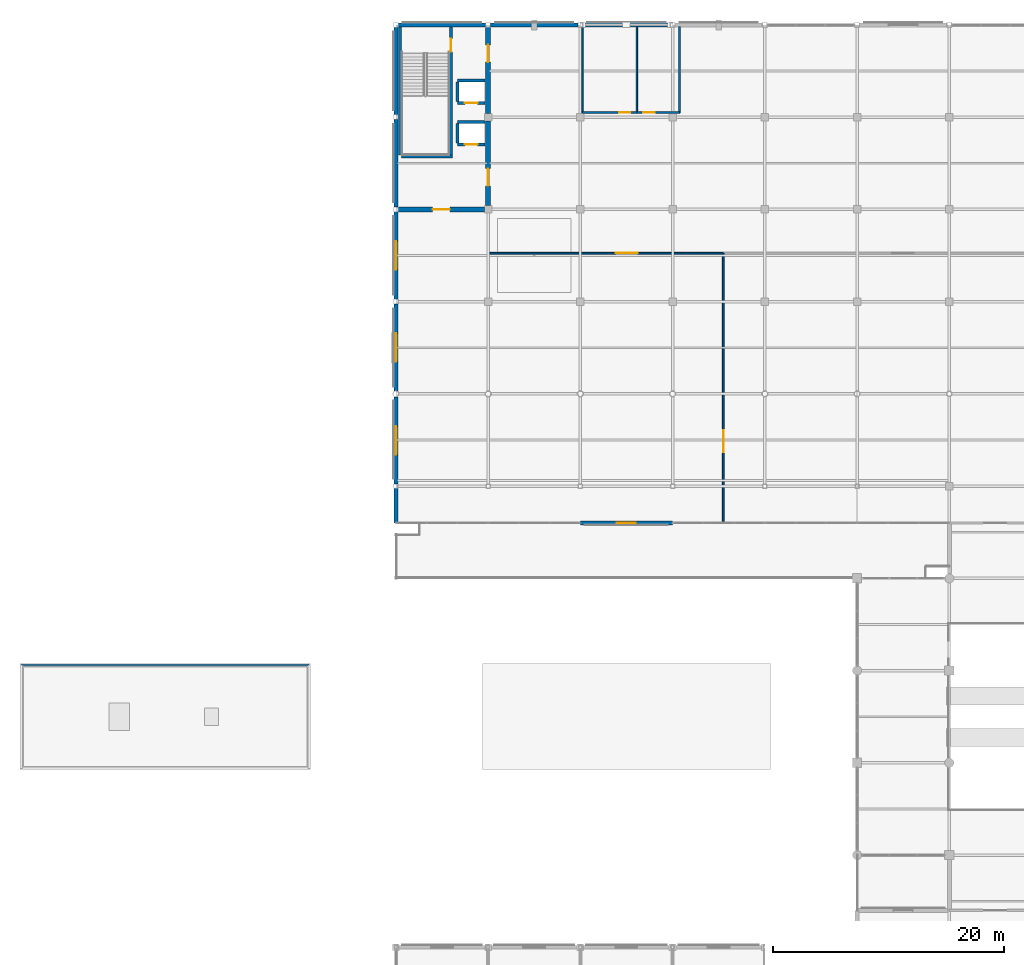
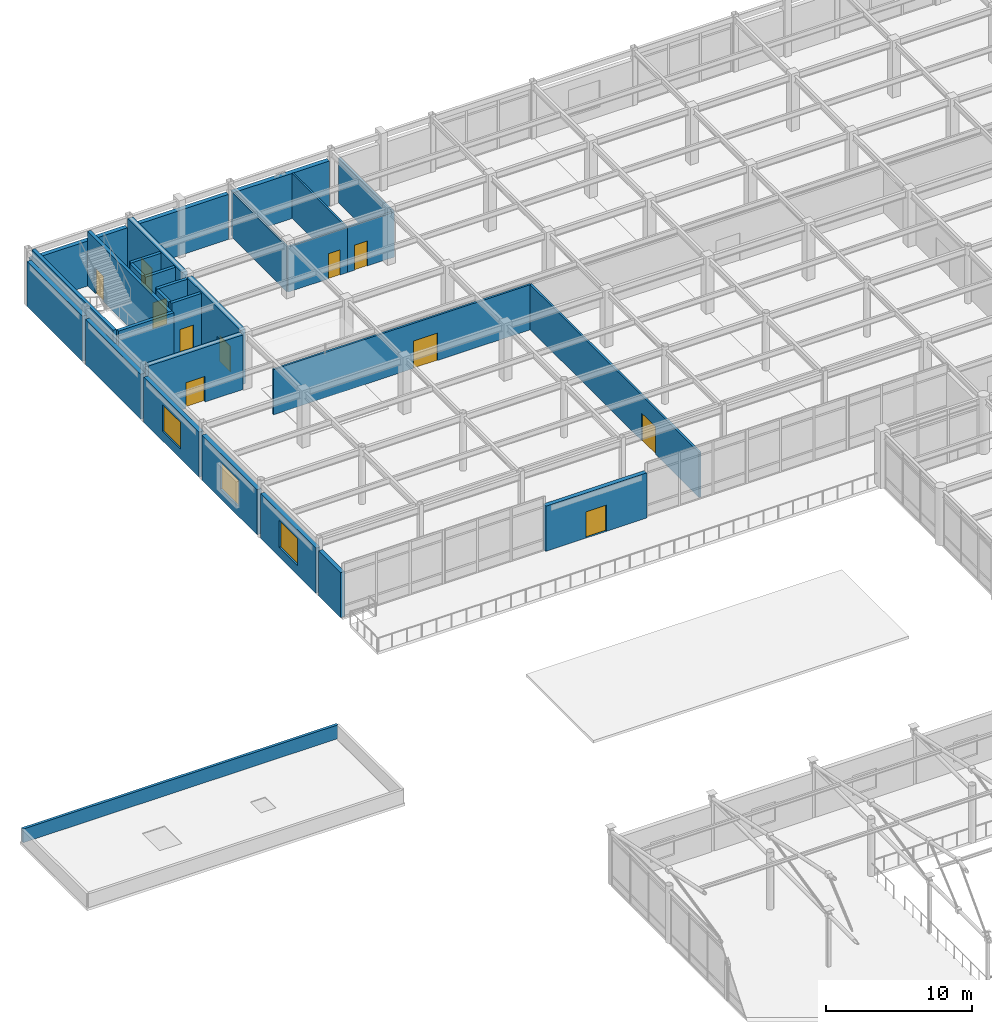
# One storey, part 93 of 117: 30 walls, 11 doors, 3 windows, 14 openings.
"""IFC4 building model written with IfcOpenShell, lengths in metres."""

from ifc_helpers import new_model, si_unit, direction, frame, frame_2d, origin, place, context, subcontext, project, spatial, rectangle, extrude, material, layer, layer_set, type_object, element, fill, save


model = new_model("IFC4")

# Units and contexts
model_context = context("Model", 3, precision=1e-05, world=origin(), true_north=direction((0.0, 1.0)))
body_context = subcontext(model_context, "Body", "Model", "MODEL_VIEW")
ifc_project = project(units=[si_unit("LENGTHUNIT", "METRE"), si_unit("AREAUNIT", "SQUARE_METRE"), si_unit("VOLUMEUNIT", "CUBIC_METRE"), si_unit("PLANEANGLEUNIT", "RADIAN"), si_unit("MASSUNIT", "GRAM", prefix="KILO")], contexts=[model_context])

# Site, building, storey
site_placement = place(None, origin())
site = spatial("IfcSite", under=ifc_project, at=site_placement, CompositionType="ELEMENT")
building_placement = place(site_placement, origin())
building = spatial("IfcBuilding", under=site, at=building_placement, Name="Solmirada Galleria", CompositionType="ELEMENT")
storey_placement = place(building_placement, frame((0.0, 0.0, 5.60009765625)))
storey = spatial("IfcBuildingStorey", under=building, at=storey_placement, Name="L01", CompositionType="ELEMENT", Elevation=5.60009765625)

# Wall, opening, door
ifc_material_1 = material(Name="Concrete C40/50", Category="concrete")
ifc_layer_1 = layer(ifc_material_1, 0.419921875)
ifc_layer_set_1 = layer_set([ifc_layer_1], Name="Concrete C40/50")
wall_type_1 = type_object("IfcWallType", Name="WL-CORE-420", PredefinedType="SHEAR", material=ifc_layer_set_1)
wall_1_placement = place(storey_placement, frame((40.202880859375, 104.0, 0.0), z_axis=(0.0, 0.0, 1.0), x_axis=(1.0, 0.0, 0.0)))
wall_1 = element("IfcWall", 1, at=wall_1_placement, inside=storey, type_object=wall_type_1, Name="Core C1 shear wall L01 S1", PredefinedType="SHEAR", context=body_context, shape_type="SweptSolid", body=[
    extrude(rectangle(XDim=7.47216796875, YDim=0.419921875, at=frame_2d((3.736083984375, 0.0))), origin(), (0.0, 0.0, 1.0), 4.579833984375),
])
opening_1_placement = place(wall_1_placement, frame((2.986083984375, 0.0, 0.0)))
opening_1 = element("IfcOpeningElement", 2, at=opening_1_placement, cuts=wall_1, Name="Opening LDY-110", PredefinedType="OPENING", context=body_context, shape_type="SweptSolid", body=[
    extrude(rectangle(XDim=1.5, YDim=2.14990234375, at=frame_2d((0.75, 1.074951171875))), frame((0.0, 0.219970703125, 0.0), z_axis=(0.0, -1.0, 0.0), x_axis=(1.0, 0.0, 0.0)), (0.0, 0.0, 1.0), 0.43994140625),
])
ifc_material_2 = material(Name="Fire-rated painted steel door assembly", Category="steel")
door_type_1 = type_object("IfcDoorType", Name="DR-LOBBY-150X215", OperationType="DOUBLE_DOOR_SINGLE_SWING", PredefinedType="DOOR", material=ifc_material_2)
door_1_placement = place(opening_1_placement, origin())
door_1 = element("IfcDoor", 3, at=door_1_placement, inside=storey, type_object=door_type_1, Name="Core C1 lobby access fire door LDY-110", OperationType="DOUBLE_DOOR_SINGLE_SWING", OverallHeight=2.14990234375, OverallWidth=1.5, PredefinedType="DOOR", context=body_context, shape_type="SweptSolid", body=[
    extrude(rectangle(XDim=1.5, YDim=2.14990234375, at=frame_2d((0.75, 1.074951171875))), frame((0.0, 0.02490234375, 0.0), z_axis=(0.0, -1.0, 0.0), x_axis=(1.0, 0.0, 0.0)), (0.0, 0.0, 1.0), 0.050048828125),
])
fill(opening_1, door_1)

wall_2_placement = place(storey_placement, frame((48.0, 104.324951171875, 0.0), z_axis=(0.0, 0.0, 1.0), x_axis=(0.0, 1.0, 0.0)))
wall_2 = element("IfcWall", 4, at=wall_2_placement, inside=storey, type_object=wall_type_1, Name="Core C1 shear wall L01 E1", PredefinedType="SHEAR", context=body_context, shape_type="SweptSolid", body=[
    extrude(rectangle(XDim=7.35009765625, YDim=0.419921875, at=frame_2d((3.675048828125, 0.0))), origin(), (0.0, 0.0, 1.0), 4.579833984375),
])
opening_2_placement = place(wall_2_placement, frame((1.7119140625, 0.0, 0.0)))
opening_2 = element("IfcOpeningElement", 5, at=opening_2_placement, cuts=wall_2, Name="Opening LDY-111", PredefinedType="OPENING", context=body_context, shape_type="SweptSolid", body=[
    extrude(rectangle(XDim=1.5, YDim=2.14990234375, at=frame_2d((0.75, 1.074951171875))), frame((0.0, 0.219970703125, 0.0), z_axis=(0.0, -1.0, 0.0), x_axis=(1.0, 0.0, 0.0)), (0.0, 0.0, 1.0), 0.43994140625),
])
door_2_placement = place(opening_2_placement, origin())
door_2 = element("IfcDoor", 6, at=door_2_placement, inside=storey, type_object=door_type_1, Name="Core C1 lobby access fire door LDY-111", OperationType="DOUBLE_DOOR_SINGLE_SWING", OverallHeight=2.14990234375, OverallWidth=1.5, PredefinedType="DOOR", context=body_context, shape_type="SweptSolid", body=[
    extrude(rectangle(XDim=1.5, YDim=2.14990234375, at=frame_2d((0.75, 1.074951171875))), frame((0.0, 0.02490234375, 0.0), z_axis=(0.0, -1.0, 0.0), x_axis=(1.0, 0.0, 0.0)), (0.0, 0.0, 1.0), 0.050048828125),
])
fill(opening_2, door_2)

wall_3_placement = place(storey_placement, frame((48.0, 112.324951171875, 0.0), z_axis=(0.0, 0.0, 1.0), x_axis=(0.0, 1.0, 0.0)))
wall_3 = element("IfcWall", 7, at=wall_3_placement, inside=storey, type_object=wall_type_1, Name="Core C1 shear wall L01 E2", PredefinedType="SHEAR", context=body_context, shape_type="SweptSolid", body=[
    extrude(rectangle(XDim=7.47216796875, YDim=0.419921875, at=frame_2d((3.736083984375, 0.0))), origin(), (0.0, 0.0, 1.0), 4.579833984375),
])
opening_3_placement = place(wall_3_placement, frame((4.447998046875, 0.0, 0.0)))
opening_3 = element("IfcOpeningElement", 8, at=opening_3_placement, cuts=wall_3, Name="Opening LDY-112", PredefinedType="OPENING", context=body_context, shape_type="SweptSolid", body=[
    extrude(rectangle(XDim=1.5, YDim=2.14990234375, at=frame_2d((0.75, 1.074951171875))), frame((0.0, 0.219970703125, 0.0), z_axis=(0.0, -1.0, 0.0), x_axis=(1.0, 0.0, 0.0)), (0.0, 0.0, 1.0), 0.43994140625),
])
door_3_placement = place(opening_3_placement, origin())
door_3 = element("IfcDoor", 9, at=door_3_placement, inside=storey, type_object=door_type_1, Name="Core C1 lobby access fire door LDY-112", OperationType="DOUBLE_DOOR_SINGLE_SWING", OverallHeight=2.14990234375, OverallWidth=1.5, PredefinedType="DOOR", context=body_context, shape_type="SweptSolid", body=[
    extrude(rectangle(XDim=1.5, YDim=2.14990234375, at=frame_2d((0.75, 1.074951171875))), frame((0.0, 0.02490234375, 0.0), z_axis=(0.0, -1.0, 0.0), x_axis=(1.0, 0.0, 0.0)), (0.0, 0.0, 1.0), 0.050048828125),
])
fill(opening_3, door_3)

ifc_material_3 = material(Name="Precast concrete C40/50", Category="concrete")
ifc_layer_2 = layer(ifc_material_3, 0.340087890625)
ifc_layer_set_2 = layer_set([ifc_layer_2], Name="Precast concrete C40/50")
wall_type_2 = type_object("IfcWallType", Name="WL-EXT-340", PredefinedType="STANDARD", material=ifc_layer_set_2)
wall_4_placement = place(storey_placement, frame((64.0, 76.800048828125, 0.0), z_axis=(0.0, 0.0, 1.0), x_axis=(-1.0, 0.0, 0.0)))
wall_4 = element("IfcWall", 10, at=wall_4_placement, inside=storey, type_object=wall_type_2, Name="Exterior wall L01 bay 013", PredefinedType="STANDARD", context=body_context, shape_type="SweptSolid", body=[
    extrude(rectangle(XDim=8.0, YDim=0.340087890625, at=frame_2d((4.0, 0.0))), origin(), (0.0, 0.0, 1.0), 3.77978515625),
])
opening_4_placement = place(wall_4_placement, frame((3.175048828125, 0.0, 0.0)))
opening_4 = element("IfcOpeningElement", 11, at=opening_4_placement, cuts=wall_4, Name="Opening TD-057", PredefinedType="OPENING", context=body_context, shape_type="SweptSolid", body=[
    extrude(rectangle(XDim=1.64990234375, YDim=2.199951171875, at=frame_2d((0.824951171875, 1.10009765625))), frame((0.0, 0.179931640625, 0.0), z_axis=(0.0, -1.0, 0.0), x_axis=(1.0, 0.0, 0.0)), (0.0, 0.0, 1.0), 0.360107421875),
])
ifc_material_4 = material(Name="Thermally broken aluminium and laminated glass door", Category="aluminium")
door_type_2 = type_object("IfcDoorType", Name="DR-TERR-165X220", OperationType="DOUBLE_DOOR_SINGLE_SWING", PredefinedType="DOOR", material=ifc_material_4)
door_4_placement = place(opening_4_placement, origin())
door_4 = element("IfcDoor", 12, at=door_4_placement, inside=storey, type_object=door_type_2, Name="Planted terrace access door TD-057", OperationType="DOUBLE_DOOR_SINGLE_SWING", OverallHeight=2.199951171875, OverallWidth=1.64990234375, PredefinedType="DOOR", context=body_context, shape_type="SweptSolid", body=[
    extrude(rectangle(XDim=1.64990234375, YDim=2.199951171875, at=frame_2d((0.824951171875, 1.10009765625))), frame((0.0, 0.02490234375, 0.0), z_axis=(0.0, -1.0, 0.0), x_axis=(1.0, 0.0, 0.0)), (0.0, 0.0, 1.0), 0.050048828125),
])
fill(opening_4, door_4)

# Wall
wall_5_placement = place(storey_placement, frame((40.0, 76.800048828125, 0.0), z_axis=(0.0, 0.0, 1.0), x_axis=(0.0, 1.0, 0.0)))
element("IfcWall", 13, at=wall_5_placement, inside=storey, type_object=wall_type_2, Name="Exterior wall L01 bay 016", PredefinedType="STANDARD", context=body_context, shape_type="SweptSolid", body=[
    extrude(rectangle(XDim=3.02197265625, YDim=0.340087890625, at=frame_2d((1.510986328125, 0.0))), origin(), (0.0, 0.0, 1.0), 3.77978515625),
])

# Wall, opening, window
wall_6_placement = place(storey_placement, frame((40.0, 80.177978515625, 0.0), z_axis=(0.0, 0.0, 1.0), x_axis=(0.0, 1.0, 0.0)))
wall_6 = element("IfcWall", 14, at=wall_6_placement, inside=storey, type_object=wall_type_2, Name="Exterior wall L01 bay 017", PredefinedType="STANDARD", context=body_context, shape_type="SweptSolid", body=[
    extrude(rectangle(XDim=7.568115234375, YDim=0.340087890625, at=frame_2d((3.7841796875, 0.0))), origin(), (0.0, 0.0, 1.0), 3.77978515625),
])
opening_5_placement = place(wall_6_placement, frame((2.533935546875, 0.0, 0.800048828125)))
opening_5 = element("IfcOpeningElement", 15, at=opening_5_placement, cuts=wall_6, Name="Opening WN1", PredefinedType="OPENING", context=body_context, shape_type="SweptSolid", body=[
    extrude(rectangle(XDim=2.5, YDim=2.25, at=frame_2d((1.25, 1.125))), frame((0.0, 0.179931640625, 0.0), z_axis=(0.0, -1.0, 0.0), x_axis=(1.0, 0.0, 0.0)), (0.0, 0.0, 1.0), 0.360107421875),
])
ifc_material_5 = material(Name="Impact-resistant low-E double glazing", Category="glass")
window_type = type_object("IfcWindowType", Name="WIN-AVE-250X225", PartitioningType="DOUBLE_PANEL_VERTICAL", PredefinedType="WINDOW", material=ifc_material_5)
window_1_placement = place(opening_5_placement, origin())
window_1 = element("IfcWindow", 16, at=window_1_placement, inside=storey, type_object=window_type, Name="Window L01-001", OverallHeight=2.25, OverallWidth=2.5, PartitioningType="DOUBLE_PANEL_VERTICAL", PredefinedType="WINDOW", context=body_context, shape_type="SweptSolid", body=[
    extrude(rectangle(XDim=2.5, YDim=2.25, at=frame_2d((1.25, 1.125))), frame((0.0, 0.030029296875, 0.0), z_axis=(0.0, -1.0, 0.0), x_axis=(1.0, 0.0, 0.0)), (0.0, 0.0, 1.0), 0.06005859375),
])
fill(opening_5, window_1)

wall_7_placement = place(storey_placement, frame((40.0, 88.25390625, 0.0), z_axis=(0.0, 0.0, 1.0), x_axis=(0.0, 1.0, 0.0)))
wall_7 = element("IfcWall", 17, at=wall_7_placement, inside=storey, type_object=wall_type_2, Name="Exterior wall L01 bay 018", PredefinedType="STANDARD", context=body_context, shape_type="SweptSolid", body=[
    extrude(rectangle(XDim=7.543212890625, YDim=0.340087890625, at=frame_2d((3.771484375, 0.0))), origin(), (0.0, 0.0, 1.0), 3.77978515625),
])
opening_6_placement = place(wall_7_placement, frame((2.52099609375, 0.0, 0.800048828125)))
opening_6 = element("IfcOpeningElement", 18, at=opening_6_placement, cuts=wall_7, Name="Opening WN1", PredefinedType="OPENING", context=body_context, shape_type="SweptSolid", body=[
    extrude(rectangle(XDim=2.5, YDim=2.25, at=frame_2d((1.25, 1.125))), frame((0.0, 0.179931640625, 0.0), z_axis=(0.0, -1.0, 0.0), x_axis=(1.0, 0.0, 0.0)), (0.0, 0.0, 1.0), 0.360107421875),
])
window_2_placement = place(opening_6_placement, origin())
window_2 = element("IfcWindow", 19, at=window_2_placement, inside=storey, type_object=window_type, Name="Window L01-002", OverallHeight=2.25, OverallWidth=2.5, PartitioningType="DOUBLE_PANEL_VERTICAL", PredefinedType="WINDOW", context=body_context, shape_type="SweptSolid", body=[
    extrude(rectangle(XDim=2.5, YDim=2.25, at=frame_2d((1.25, 1.125))), frame((0.0, 0.030029296875, 0.0), z_axis=(0.0, -1.0, 0.0), x_axis=(1.0, 0.0, 0.0)), (0.0, 0.0, 1.0), 0.06005859375),
])
fill(opening_6, window_2)

wall_8_placement = place(storey_placement, frame((40.0, 96.202880859375, 0.0), z_axis=(0.0, 0.0, 1.0), x_axis=(0.0, 1.0, 0.0)))
wall_8 = element("IfcWall", 20, at=wall_8_placement, inside=storey, type_object=wall_type_2, Name="Exterior wall L01 bay 019", PredefinedType="STANDARD", context=body_context, shape_type="SweptSolid", body=[
    extrude(rectangle(XDim=7.59423828125, YDim=0.340087890625, at=frame_2d((3.797119140625, 0.0))), origin(), (0.0, 0.0, 1.0), 3.77978515625),
])
opening_7_placement = place(wall_8_placement, frame((2.547119140625, 0.0, 0.800048828125)))
opening_7 = element("IfcOpeningElement", 21, at=opening_7_placement, cuts=wall_8, Name="Opening WN1", PredefinedType="OPENING", context=body_context, shape_type="SweptSolid", body=[
    extrude(rectangle(XDim=2.5, YDim=2.25, at=frame_2d((1.25, 1.125))), frame((0.0, 0.179931640625, 0.0), z_axis=(0.0, -1.0, 0.0), x_axis=(1.0, 0.0, 0.0)), (0.0, 0.0, 1.0), 0.360107421875),
])
window_3_placement = place(opening_7_placement, origin())
window_3 = element("IfcWindow", 22, at=window_3_placement, inside=storey, type_object=window_type, Name="Window L01-003", OverallHeight=2.25, OverallWidth=2.5, PartitioningType="DOUBLE_PANEL_VERTICAL", PredefinedType="WINDOW", context=body_context, shape_type="SweptSolid", body=[
    extrude(rectangle(XDim=2.5, YDim=2.25, at=frame_2d((1.25, 1.125))), frame((0.0, 0.030029296875, 0.0), z_axis=(0.0, -1.0, 0.0), x_axis=(1.0, 0.0, 0.0)), (0.0, 0.0, 1.0), 0.06005859375),
])
fill(opening_7, window_3)

# Walls
for number, where, z_axis, x_axis, name in (
    (23, (40.0, 104.202880859375, 0.0), (0.0, 0.0, 1.0), (0.0, 1.0, 0.0), "Exterior wall L01 bay 020"),
    (24, (40.0, 112.202880859375, 0.0), (0.0, 0.0, 1.0), (0.0, 1.0, 0.0), "Exterior wall L01 bay 021"),
    (25, (40.202880859375, 120.0, 0.0), (0.0, 0.0, 1.0), (1.0, 0.0, 0.0), "Exterior wall L01 bay 022"),
    (26, (48.202880859375, 120.0, 0.0), (0.0, 0.0, 1.0), (1.0, 0.0, 0.0), "Exterior wall L01 bay 023"),
):
    element("IfcWall", number, at=place(storey_placement, frame(where, z_axis=z_axis, x_axis=x_axis)), inside=storey, type_object=wall_type_2, Name=name, PredefinedType="STANDARD", context=body_context, shape_type="SweptSolid", body=[
        extrude(rectangle(XDim=7.59423828125, YDim=0.340087890625, at=frame_2d((3.797119140625, 0.0))), origin(), (0.0, 0.0, 1.0), 3.77978515625),
    ])

# Wall, opening, door
ifc_layer_3 = layer(ifc_material_1, 0.239990234375)
ifc_layer_set_3 = layer_set([ifc_layer_3], Name="Concrete C40/50")
wall_type_3 = type_object("IfcWallType", Name="WL-HOIST-240", PredefinedType="PARTITIONING", material=ifc_layer_set_3)
wall_9_placement = place(storey_placement, frame((45.344970703125, 113.219970703125, 0.0), z_axis=(0.0, 0.0, 1.0), x_axis=(1.0, 0.0, 0.0)))
wall_9 = element("IfcWall", 27, at=wall_9_placement, inside=storey, type_object=wall_type_3, Name="Lift LP1 hoistway front wall L01", PredefinedType="PARTITIONING", context=body_context, shape_type="SweptSolid", body=[
    extrude(rectangle(XDim=2.375, YDim=0.239990234375, at=frame_2d((1.1875, 0.0))), origin(), (0.0, 0.0, 1.0), 4.579833984375),
])
opening_8_placement = place(wall_9_placement, frame((0.636962890625, 0.0, 0.0)))
opening_8 = element("IfcOpeningElement", 28, at=opening_8_placement, cuts=wall_9, Name="Opening LD-LP1-L01", PredefinedType="OPENING", context=body_context, shape_type="SweptSolid", body=[
    extrude(rectangle(XDim=1.10009765625, YDim=2.14990234375, at=frame_2d((0.550048828125, 1.074951171875))), frame((0.0, 0.1298828125, 0.0), z_axis=(0.0, -1.0, 0.0), x_axis=(1.0, 0.0, 0.0)), (0.0, 0.0, 1.0), 0.260009765625),
])
ifc_material_6 = material(Name="Brushed stainless-steel sliding landing door", Category="steel")
door_type_3 = type_object("IfcDoorType", Name="DR-LIFT-110X215", OperationType="SLIDING_TO_LEFT", PredefinedType="DOOR", material=ifc_material_6)
door_5_placement = place(opening_8_placement, origin())
door_5 = element("IfcDoor", 29, at=door_5_placement, inside=storey, type_object=door_type_3, Name="Lift LP1 sliding landing door L01", OperationType="SLIDING_TO_LEFT", OverallHeight=2.14990234375, OverallWidth=1.10009765625, PredefinedType="DOOR", context=body_context, shape_type="SweptSolid", body=[
    extrude(rectangle(XDim=1.10009765625, YDim=2.14990234375, at=frame_2d((0.550048828125, 1.074951171875))), frame((0.0, 0.02490234375, 0.0), z_axis=(0.0, -1.0, 0.0), x_axis=(1.0, 0.0, 0.0)), (0.0, 0.0, 1.0), 0.050048828125),
])
fill(opening_8, door_5)

# Walls
wall_10_placement = place(storey_placement, frame((45.344970703125, 115.179931640625, 0.0), z_axis=(0.0, 0.0, 1.0), x_axis=(1.0, 0.0, 0.0)))
element("IfcWall", 30, at=wall_10_placement, inside=storey, type_object=wall_type_3, Name="Lift LP1 hoistway rear wall L01", PredefinedType="PARTITIONING", context=body_context, shape_type="SweptSolid", body=[
    extrude(rectangle(XDim=2.375, YDim=0.239990234375, at=frame_2d((1.1875, 0.0))), origin(), (0.0, 0.0, 1.0), 4.579833984375),
])
wall_11_placement = place(storey_placement, frame((45.344970703125, 113.360107421875, 0.0), z_axis=(0.0, 0.0, 1.0), x_axis=(0.0, 1.0, 0.0)))
element("IfcWall", 31, at=wall_11_placement, inside=storey, type_object=wall_type_3, Name="Lift LP1 hoistway side wall L L01", PredefinedType="PARTITIONING", context=body_context, shape_type="SweptSolid", body=[
    extrude(rectangle(XDim=1.679931640625, YDim=0.239990234375, at=frame_2d((0.83984375, 0.0))), origin(), (0.0, 0.0, 1.0), 4.579833984375),
])

# Wall, opening, door
wall_12_placement = place(storey_placement, frame((45.344970703125, 109.6201171875, 0.0), z_axis=(0.0, 0.0, 1.0), x_axis=(1.0, 0.0, 0.0)))
wall_12 = element("IfcWall", 32, at=wall_12_placement, inside=storey, type_object=wall_type_3, Name="Lift LP2 hoistway front wall L01", PredefinedType="PARTITIONING", context=body_context, shape_type="SweptSolid", body=[
    extrude(rectangle(XDim=2.375, YDim=0.239990234375, at=frame_2d((1.1875, 0.0))), origin(), (0.0, 0.0, 1.0), 4.579833984375),
])
opening_9_placement = place(wall_12_placement, frame((0.636962890625, 0.0, 0.0)))
opening_9 = element("IfcOpeningElement", 33, at=opening_9_placement, cuts=wall_12, Name="Opening LD-LP2-L01", PredefinedType="OPENING", context=body_context, shape_type="SweptSolid", body=[
    extrude(rectangle(XDim=1.10009765625, YDim=2.14990234375, at=frame_2d((0.550048828125, 1.074951171875))), frame((0.0, 0.1298828125, 0.0), z_axis=(0.0, -1.0, 0.0), x_axis=(1.0, 0.0, 0.0)), (0.0, 0.0, 1.0), 0.260009765625),
])
door_6_placement = place(opening_9_placement, origin())
door_6 = element("IfcDoor", 34, at=door_6_placement, inside=storey, type_object=door_type_3, Name="Lift LP2 sliding landing door L01", OperationType="SLIDING_TO_LEFT", OverallHeight=2.14990234375, OverallWidth=1.10009765625, PredefinedType="DOOR", context=body_context, shape_type="SweptSolid", body=[
    extrude(rectangle(XDim=1.10009765625, YDim=2.14990234375, at=frame_2d((0.550048828125, 1.074951171875))), frame((0.0, 0.02490234375, 0.0), z_axis=(0.0, -1.0, 0.0), x_axis=(1.0, 0.0, 0.0)), (0.0, 0.0, 1.0), 0.050048828125),
])
fill(opening_9, door_6)

# Walls
wall_13_placement = place(storey_placement, frame((45.344970703125, 111.580078125, 0.0), z_axis=(0.0, 0.0, 1.0), x_axis=(1.0, 0.0, 0.0)))
element("IfcWall", 35, at=wall_13_placement, inside=storey, type_object=wall_type_3, Name="Lift LP2 hoistway rear wall L01", PredefinedType="PARTITIONING", context=body_context, shape_type="SweptSolid", body=[
    extrude(rectangle(XDim=2.375, YDim=0.239990234375, at=frame_2d((1.1875, 0.0))), origin(), (0.0, 0.0, 1.0), 4.579833984375),
])
wall_14_placement = place(storey_placement, frame((45.344970703125, 109.760009765625, 0.0), z_axis=(0.0, 0.0, 1.0), x_axis=(0.0, 1.0, 0.0)))
element("IfcWall", 36, at=wall_14_placement, inside=storey, type_object=wall_type_3, Name="Lift LP2 hoistway side wall L L01", PredefinedType="PARTITIONING", context=body_context, shape_type="SweptSolid", body=[
    extrude(rectangle(XDim=1.679931640625, YDim=0.239990234375, at=frame_2d((0.83984375, 0.0))), origin(), (0.0, 0.0, 1.0), 4.579833984375),
])
ifc_layer_4 = layer(ifc_material_3, 0.2099609375)
ifc_layer_set_4 = layer_set([ifc_layer_4], Name="Precast concrete C40/50")
wall_type_4 = type_object("IfcWallType", Name="WL-PAR-210", PredefinedType="PARAPET", material=ifc_layer_set_4)
wall_15_placement = place(storey_placement, frame((32.47998046875, 64.47998046875, 0.0), z_axis=(0.0, 0.0, 1.0), x_axis=(-1.0, 0.0, 0.0)))
element("IfcWall", 37, at=wall_15_placement, inside=storey, type_object=wall_type_4, Name="Roof parapet ROOF-WEST-PORTAL side 3", PredefinedType="PARAPET", context=body_context, shape_type="SweptSolid", body=[
    extrude(rectangle(XDim=24.9599609375, YDim=0.2099609375, at=frame_2d((12.47998046875, 0.0))), origin(), (0.0, 0.0, 1.0), 1.14990234375),
])
ifc_material_7 = material(Name="Acoustic gypsum board partition")
ifc_layer_5 = layer(ifc_material_7, 0.135009765625)
ifc_layer_set_5 = layer_set([ifc_layer_5], Name="Acoustic gypsum board partition")
wall_type_5 = type_object("IfcWallType", Name="WL-PART-135", PredefinedType="PARTITIONING", material=ifc_layer_set_5)
for number, where, z_axis, x_axis, name in (
    (38, (56.199951171875, 112.39990234375, 0.0), (0.0, 0.0, 1.0), (0.0, 1.0, 0.0), "Partition L01-040 (North WC West)"),
    (39, (60.89990234375, 112.39990234375, 0.0), (0.0, 0.0, 1.0), (0.0, 1.0, 0.0), "Partition L01-041 (North WC Divider)"),
    (40, (64.60009765625, 112.39990234375, 0.0), (0.0, 0.0, 1.0), (0.0, 1.0, 0.0), "Partition L01-042 (North WC East)"),
):
    element("IfcWall", number, at=place(storey_placement, frame(where, z_axis=z_axis, x_axis=x_axis)), inside=storey, type_object=wall_type_5, Name=name, PredefinedType="PARTITIONING", context=body_context, shape_type="SweptSolid", body=[
        extrude(rectangle(XDim=7.4501953125, YDim=0.135009765625, at=frame_2d((3.72509765625, 0.0))), origin(), (0.0, 0.0, 1.0), 3.77978515625),
    ])

# Wall, opening, door
ifc_layer_6 = layer(ifc_material_7, 0.159912109375)
ifc_layer_set_6 = layer_set([ifc_layer_6], Name="Acoustic gypsum board partition")
wall_type_6 = type_object("IfcWallType", Name="WL-PART-160", PredefinedType="PARTITIONING", material=ifc_layer_set_6)
wall_16_placement = place(storey_placement, frame((56.199951171875, 112.39990234375, 0.0), z_axis=(0.0, 0.0, 1.0), x_axis=(1.0, 0.0, 0.0)))
wall_16 = element("IfcWall", 41, at=wall_16_placement, inside=storey, type_object=wall_type_6, Name="Partition L01-038 (North Restroom)", PredefinedType="PARTITIONING", context=body_context, shape_type="SweptSolid", body=[
    extrude(rectangle(XDim=4.699951171875, YDim=0.159912109375, at=frame_2d((2.35009765625, 0.0))), origin(), (0.0, 0.0, 1.0), 3.77978515625),
])
opening_10_placement = place(wall_16_placement, frame((3.193115234375, 0.0, 0.0)))
opening_10 = element("IfcOpeningElement", 42, at=opening_10_placement, cuts=wall_16, Name="Opening ID-284", PredefinedType="OPENING", context=body_context, shape_type="SweptSolid", body=[
    extrude(rectangle(XDim=0.919921875, YDim=2.10009765625, at=frame_2d((0.4599609375, 1.050048828125))), frame((0.0, 0.08984375, 0.0), z_axis=(0.0, -1.0, 0.0), x_axis=(1.0, 0.0, 0.0)), (0.0, 0.0, 1.0), 0.179931640625),
])
ifc_material_8 = material(Name="Architectural hardwood veneer door", Category="wood")
door_type_4 = type_object("IfcDoorType", Name="DR-WC-092X210", OperationType="NOTDEFINED", PredefinedType="DOOR", material=ifc_material_8)
door_7_placement = place(opening_10_placement, origin())
door_7 = element("IfcDoor", 43, at=door_7_placement, inside=storey, type_object=door_type_4, Name="North Restroom door ID-284", OperationType="SINGLE_SWING_RIGHT", OverallHeight=2.10009765625, OverallWidth=0.919921875, PredefinedType="DOOR", context=body_context, shape_type="SweptSolid", body=[
    extrude(rectangle(XDim=0.919921875, YDim=2.10009765625, at=frame_2d((0.4599609375, 1.050048828125))), frame((0.0, 0.02490234375, 0.0), z_axis=(0.0, -1.0, 0.0), x_axis=(1.0, 0.0, 0.0)), (0.0, 0.0, 1.0), 0.050048828125),
])
fill(opening_10, door_7)

wall_17_placement = place(storey_placement, frame((60.89990234375, 112.39990234375, 0.0), z_axis=(0.0, 0.0, 1.0), x_axis=(1.0, 0.0, 0.0)))
wall_17 = element("IfcWall", 44, at=wall_17_placement, inside=storey, type_object=wall_type_6, Name="Partition L01-039 (North Accessible WC)", PredefinedType="PARTITIONING", context=body_context, shape_type="SweptSolid", body=[
    extrude(rectangle(XDim=3.7001953125, YDim=0.159912109375, at=frame_2d((1.85009765625, 0.0))), origin(), (0.0, 0.0, 1.0), 3.77978515625),
])
opening_11_placement = place(wall_17_placement, frame((0.548095703125, 0.0, 0.0)))
opening_11 = element("IfcOpeningElement", 45, at=opening_11_placement, cuts=wall_17, Name="Opening ID-285", PredefinedType="OPENING", context=body_context, shape_type="SweptSolid", body=[
    extrude(rectangle(XDim=1.02001953125, YDim=2.10009765625, at=frame_2d((0.510009765625, 1.050048828125))), frame((0.0, 0.08984375, 0.0), z_axis=(0.0, -1.0, 0.0), x_axis=(1.0, 0.0, 0.0)), (0.0, 0.0, 1.0), 0.179931640625),
])
door_type_5 = type_object("IfcDoorType", Name="DR-AWC-102X210", OperationType="NOTDEFINED", PredefinedType="DOOR", material=ifc_material_8)
door_8_placement = place(opening_11_placement, origin())
door_8 = element("IfcDoor", 46, at=door_8_placement, inside=storey, type_object=door_type_5, Name="North Accessible WC door ID-285", OperationType="SINGLE_SWING_LEFT", OverallHeight=2.10009765625, OverallWidth=1.02001953125, PredefinedType="DOOR", context=body_context, shape_type="SweptSolid", body=[
    extrude(rectangle(XDim=1.02001953125, YDim=2.10009765625, at=frame_2d((0.510009765625, 1.050048828125))), frame((0.0, 0.02490234375, 0.0), z_axis=(0.0, -1.0, 0.0), x_axis=(1.0, 0.0, 0.0)), (0.0, 0.0, 1.0), 0.050048828125),
])
fill(opening_11, door_8)

wall_18_placement = place(storey_placement, frame((48.0, 100.199951171875, 0.0), z_axis=(0.0, 0.0, 1.0), x_axis=(1.0, 0.0, 0.0)))
wall_18 = element("IfcWall", 47, at=wall_18_placement, inside=storey, type_object=wall_type_6, Name="Partition L01-043 (North Promenade W L01)", PredefinedType="PARTITIONING", context=body_context, shape_type="SweptSolid", body=[
    extrude(rectangle(XDim=20.39990234375, YDim=0.159912109375, at=frame_2d((10.199951171875, 0.0))), origin(), (0.0, 0.0, 1.0), 3.77978515625),
])
opening_12_placement = place(wall_18_placement, frame((11.091064453125, 0.0, 0.0)))
opening_12 = element("IfcOpeningElement", 48, at=opening_12_placement, cuts=wall_18, Name="Opening ID-286", PredefinedType="OPENING", context=body_context, shape_type="SweptSolid", body=[
    extrude(rectangle(XDim=1.89990234375, YDim=2.300048828125, at=frame_2d((0.949951171875, 1.14990234375))), frame((0.0, 0.08984375, 0.0), z_axis=(0.0, -1.0, 0.0), x_axis=(1.0, 0.0, 0.0)), (0.0, 0.0, 1.0), 0.179931640625),
])
door_type_6 = type_object("IfcDoorType", Name="DR-DEPT-190X230", OperationType="DOUBLE_DOOR_SINGLE_SWING", PredefinedType="DOOR", material=ifc_material_8)
door_9_placement = place(opening_12_placement, origin())
door_9 = element("IfcDoor", 49, at=door_9_placement, inside=storey, type_object=door_type_6, Name="North Promenade W L01 door ID-286", OperationType="DOUBLE_DOOR_SINGLE_SWING", OverallHeight=2.300048828125, OverallWidth=1.89990234375, PredefinedType="DOOR", context=body_context, shape_type="SweptSolid", body=[
    extrude(rectangle(XDim=1.89990234375, YDim=2.300048828125, at=frame_2d((0.949951171875, 1.14990234375))), frame((0.0, 0.02490234375, 0.0), z_axis=(0.0, -1.0, 0.0), x_axis=(1.0, 0.0, 0.0)), (0.0, 0.0, 1.0), 0.050048828125),
])
fill(opening_12, door_9)

wall_19_placement = place(storey_placement, frame((68.39990234375, 76.949951171875, 0.0), z_axis=(0.0, 0.0, 1.0), x_axis=(0.0, 1.0, 0.0)))
wall_19 = element("IfcWall", 50, at=wall_19_placement, inside=storey, type_object=wall_type_6, Name="Partition L01-046 (North Department W L01)", PredefinedType="PARTITIONING", context=body_context, shape_type="SweptSolid", body=[
    extrude(rectangle(XDim=23.25, YDim=0.159912109375, at=frame_2d((11.625, 0.0))), origin(), (0.0, 0.0, 1.0), 3.77978515625),
])
opening_13_placement = place(wall_19_placement, frame((5.98193359375, 0.0, 0.0)))
opening_13 = element("IfcOpeningElement", 51, at=opening_13_placement, cuts=wall_19, Name="Opening ID-289", PredefinedType="OPENING", context=body_context, shape_type="SweptSolid", body=[
    extrude(rectangle(XDim=1.89990234375, YDim=2.300048828125, at=frame_2d((0.949951171875, 1.14990234375))), frame((0.0, 0.08984375, 0.0), z_axis=(0.0, -1.0, 0.0), x_axis=(1.0, 0.0, 0.0)), (0.0, 0.0, 1.0), 0.179931640625),
])
door_10_placement = place(opening_13_placement, origin())
door_10 = element("IfcDoor", 52, at=door_10_placement, inside=storey, type_object=door_type_6, Name="North Department W L01 door ID-289", OperationType="DOUBLE_DOOR_SINGLE_SWING", OverallHeight=2.300048828125, OverallWidth=1.89990234375, PredefinedType="DOOR", context=body_context, shape_type="SweptSolid", body=[
    extrude(rectangle(XDim=1.89990234375, YDim=2.300048828125, at=frame_2d((0.949951171875, 1.14990234375))), frame((0.0, 0.02490234375, 0.0), z_axis=(0.0, -1.0, 0.0), x_axis=(1.0, 0.0, 0.0)), (0.0, 0.0, 1.0), 0.050048828125),
])
fill(opening_13, door_10)

# Walls
ifc_layer_7 = layer(ifc_material_1, 0.260009765625)
ifc_layer_set_7 = layer_set([ifc_layer_7], Name="Concrete C40/50")
wall_type_7 = type_object("IfcWallType", Name="WL-SHAFT-260", PredefinedType="SHEAR", material=ifc_layer_set_7)
wall_20_placement = place(storey_placement, frame((40.5, 108.570068359375, 0.0), z_axis=(0.0, 0.0, 1.0), x_axis=(1.0, 0.0, 0.0)))
element("IfcWall", 53, at=wall_20_placement, inside=storey, type_object=wall_type_7, Name="Stair ST1 enclosure wall L01 S", PredefinedType="SHEAR", context=body_context, shape_type="SweptSolid", body=[
    extrude(rectangle(XDim=4.409912109375, YDim=0.260009765625, at=frame_2d((2.205078125, 0.0))), origin(), (0.0, 0.0, 1.0), 4.579833984375),
])
wall_21_placement = place(storey_placement, frame((40.3701171875, 108.699951171875, 0.0), z_axis=(0.0, 0.0, 1.0), x_axis=(0.0, 1.0, 0.0)))
element("IfcWall", 54, at=wall_21_placement, inside=storey, type_object=wall_type_7, Name="Stair ST1 enclosure wall L01 W", PredefinedType="SHEAR", context=body_context, shape_type="SweptSolid", body=[
    extrude(rectangle(XDim=11.155029296875, YDim=0.260009765625, at=frame_2d((5.57763671875, 0.0))), origin(), (0.0, 0.0, 1.0), 4.579833984375),
])

# Wall, opening, door
wall_22_placement = place(storey_placement, frame((44.780029296875, 108.699951171875, 0.0), z_axis=(0.0, 0.0, 1.0), x_axis=(0.0, 1.0, 0.0)))
wall_22 = element("IfcWall", 55, at=wall_22_placement, inside=storey, type_object=wall_type_7, Name="Stair ST1 enclosure wall L01 E", PredefinedType="SHEAR", context=body_context, shape_type="SweptSolid", body=[
    extrude(rectangle(XDim=11.155029296875, YDim=0.260009765625, at=frame_2d((5.57763671875, 0.0))), origin(), (0.0, 0.0, 1.0), 4.579833984375),
])
opening_14_placement = place(wall_22_placement, frame((8.949951171875, 0.0, 0.0)))
opening_14 = element("IfcOpeningElement", 56, at=opening_14_placement, cuts=wall_22, Name="Opening SD-109", PredefinedType="OPENING", context=body_context, shape_type="SweptSolid", body=[
    extrude(rectangle(XDim=1.14990234375, YDim=2.14990234375, at=frame_2d((0.574951171875, 1.074951171875))), frame((0.0, 0.139892578125, 0.0), z_axis=(0.0, -1.0, 0.0), x_axis=(1.0, 0.0, 0.0)), (0.0, 0.0, 1.0), 0.280029296875),
])
door_type_7 = type_object("IfcDoorType", Name="DR-STAIR-115X215", OperationType="NOTDEFINED", PredefinedType="DOOR", material=ifc_material_2)
door_11_placement = place(opening_14_placement, origin())
door_11 = element("IfcDoor", 57, at=door_11_placement, inside=storey, type_object=door_type_7, Name="Exit stair ST1 enclosure fire door SD-109", OperationType="SINGLE_SWING_RIGHT", OverallHeight=2.14990234375, OverallWidth=1.14990234375, PredefinedType="DOOR", context=body_context, shape_type="SweptSolid", body=[
    extrude(rectangle(XDim=1.14990234375, YDim=2.14990234375, at=frame_2d((0.574951171875, 1.074951171875))), frame((0.0, 0.02490234375, 0.0), z_axis=(0.0, -1.0, 0.0), x_axis=(1.0, 0.0, 0.0)), (0.0, 0.0, 1.0), 0.050048828125),
])
fill(opening_14, door_11)

# Wall
ifc_material_9 = material(Name="Architectural concrete masonry C30/37", Category="masonry")
ifc_layer_8 = layer(ifc_material_9, 0.360107421875)
ifc_layer_set_8 = layer_set([ifc_layer_8], Name="Architectural concrete masonry C30/37")
wall_type_8 = type_object("IfcWallType", Name="WL-SOLID-360", PredefinedType="SOLIDWALL", material=ifc_layer_set_8)
wall_23_placement = place(storey_placement, frame((56.202880859375, 120.0, 0.0), z_axis=(0.0, 0.0, 1.0), x_axis=(1.0, 0.0, 0.0)))
element("IfcWall", 58, at=wall_23_placement, inside=storey, type_object=wall_type_8, Name="Exterior wall L01 bay 024", PredefinedType="SOLIDWALL", context=body_context, shape_type="SweptSolid", body=[
    extrude(rectangle(XDim=7.59423828125, YDim=0.360107421875, at=frame_2d((3.797119140625, 0.0))), origin(), (0.0, 0.0, 1.0), 3.77978515625),
])

save(model, "model.ifc")
